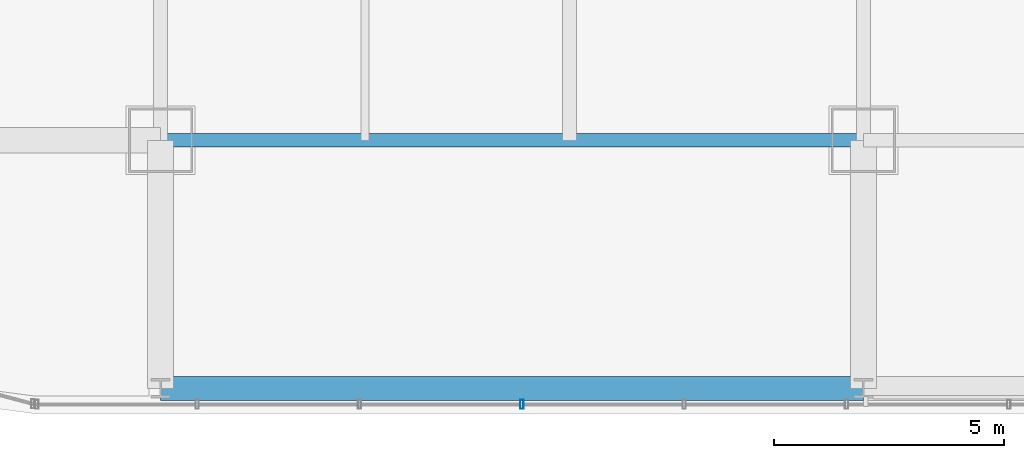
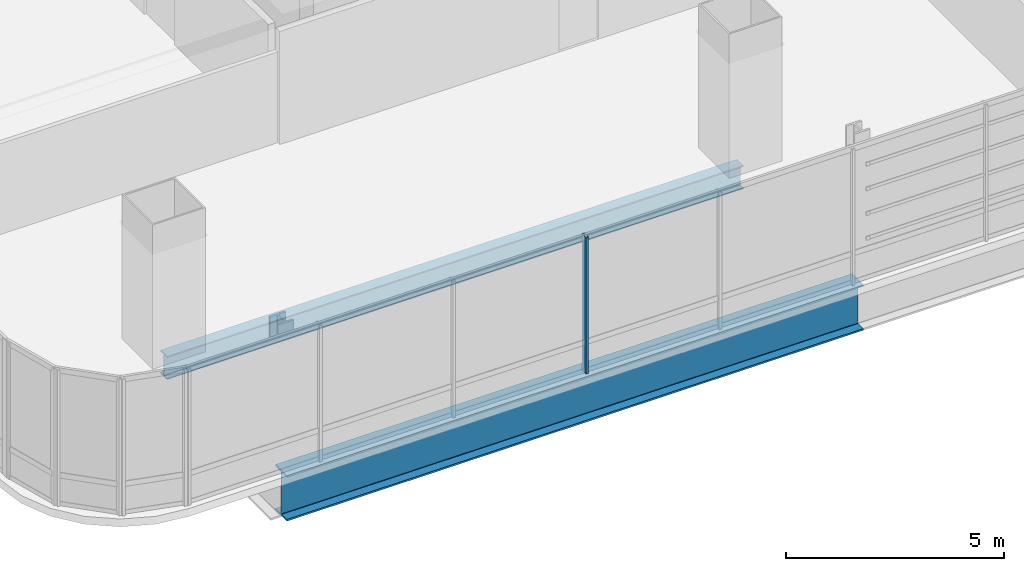
# One storey, part 3 of 36: 2 beams, 1 member, 1 element without a shape of its own.
"""IFC4 building model written with IfcOpenShell, lengths in metres."""

from ifc_helpers import new_model, si_unit, direction, frame, origin, origin_2d, place, context, subcontext, project, spatial, hollow_rectangle, i_section, extrude, material, material_profile, profile_set, type_object, element, aggregate, save


model = new_model("IFC4")

# Units and contexts
model_context = context("Model", 3, precision=1e-05, world=origin(), true_north=direction((0.0, 1.0)))
body_context = subcontext(model_context, "Body", "Model", "MODEL_VIEW")
ifc_project = project(units=[si_unit("LENGTHUNIT", "METRE"), si_unit("AREAUNIT", "SQUARE_METRE"), si_unit("VOLUMEUNIT", "CUBIC_METRE"), si_unit("PLANEANGLEUNIT", "RADIAN"), si_unit("MASSUNIT", "GRAM", prefix="KILO")], contexts=[model_context])

# Site, building, storey
site_placement = place(None, origin())
site = spatial("IfcSite", under=ifc_project, at=site_placement, CompositionType="ELEMENT")
building_placement = place(site_placement, origin())
building = spatial("IfcBuilding", under=site, at=building_placement, Name="Punatoya Terracotta Tower", CompositionType="ELEMENT")
storey_placement = place(building_placement, frame((0.0, 0.0, 180.300048828125)))
storey = spatial("IfcBuildingStorey", under=building, at=storey_placement, Name="L42", CompositionType="ELEMENT", Elevation=180.300048828125)

# Beams
ifc_material_1 = material(Name="Steel S355", Category="steel")
ifc_material_profile_1 = material_profile(ifc_material_1, i_section(OverallWidth=0.300048828125, OverallDepth=0.64990234375, WebThickness=0.01611328125, FlangeThickness=0.031005859375, FilletRadius=0.01806640625, at=origin_2d()))
ifc_profile_set_1 = profile_set([ifc_material_profile_1], Name="Steel S355")
beam_type_1 = type_object("IfcBeamType", Name="BM-PRI-650", PredefinedType="BEAM", material=ifc_profile_set_1)
beam_1_placement = place(storey_placement, frame((-19.10009765625, -17.5, -0.545166015625), z_axis=(1.0, 0.0, 0.0), x_axis=(0.0, 1.0, 0.0)))
element("IfcBeam", 1, at=beam_1_placement, inside=storey, type_object=beam_type_1, Name="BM-L42-RG-S1", PredefinedType="BEAM", context=body_context, shape_type="SweptSolid", body=[
    extrude(i_section(OverallWidth=0.300048828125, OverallDepth=0.64990234375, WebThickness=0.01611328125, FlangeThickness=0.031005859375, FilletRadius=0.01806640625, at=origin_2d()), origin(), (0.0, 0.0, 1.0), 15.300048828125),
])
ifc_material_2 = material(Name="Steel S460", Category="steel")
ifc_material_profile_2 = material_profile(ifc_material_2, i_section(OverallWidth=0.52001953125, OverallDepth=1.280029296875, WebThickness=0.031982421875, FlangeThickness=0.050048828125, FilletRadius=0.01806640625, at=origin_2d()))
ifc_profile_set_2 = profile_set([ifc_material_profile_2], Name="Steel S460")
beam_type_2 = type_object("IfcBeamType", Name="BM-TG-NCK", PredefinedType="BEAM", material=ifc_profile_set_2)
beam_2_placement = place(storey_placement, frame((-19.10009765625, -22.89990234375, -0.860107421875), z_axis=(1.0, 0.0, 0.0), x_axis=(0.0, 1.0, 0.0)))
element("IfcBeam", 2, at=beam_2_placement, inside=storey, type_object=beam_type_2, Name="BM-L42-PER-S1", PredefinedType="BEAM", context=body_context, shape_type="SweptSolid", body=[
    extrude(i_section(OverallWidth=0.52001953125, OverallDepth=1.280029296875, WebThickness=0.031982421875, FlangeThickness=0.050048828125, FilletRadius=0.01806640625, at=origin_2d()), origin(), (0.0, 0.0, 1.0), 15.300048828125),
])

# Curtain wall, member
ifc_material_3 = material(Name="Aluminium 6063-T6 + Double Low-E Glass", Category="aluminium")
curtain_wall_type = type_object("IfcCurtainWallType", Name="CW-M2", PredefinedType="NOTDEFINED", material=ifc_material_3)
curtain_wall_placement = place(storey_placement, origin())
curtain_wall = element("IfcCurtainWall", 3, at=curtain_wall_placement, inside=storey, type_object=curtain_wall_type, Name="L42 Curtain Wall CW-L42-S01-1", PredefinedType="NOTDEFINED")
ifc_material_4 = material(Name="Aluminium 6063-T6", Category="aluminium")
ifc_material_profile_3 = material_profile(ifc_material_4, hollow_rectangle(XDim=0.072021484375, YDim=0.195068359375, WallThickness=0.00439453125, at=origin_2d()))
ifc_profile_set_3 = profile_set([ifc_material_profile_3], Name="Aluminium 6063-T6")
member_type = type_object("IfcMemberType", Name="CW-MUL-M2", PredefinedType="MULLION", material=ifc_profile_set_3)
member_placement = place(storey_placement, frame((-11.235107421875, -23.25, 0.0), z_axis=(0.0, 0.0, 1.0), x_axis=(1.0, 0.0, 0.0)))
member = element("IfcMember", 4, at=member_placement, type_object=member_type, Name="CW-L42-S01-1 Mullion 03", PredefinedType="MULLION", context=body_context, shape_type="SweptSolid", body=[
    extrude(hollow_rectangle(XDim=0.072021484375, YDim=0.195068359375, WallThickness=0.00439453125, at=origin_2d()), origin(), (0.0, 0.0, 1.0), 3.829833984375),
])
aggregate(curtain_wall, [member])

save(model, "model.ifc")
